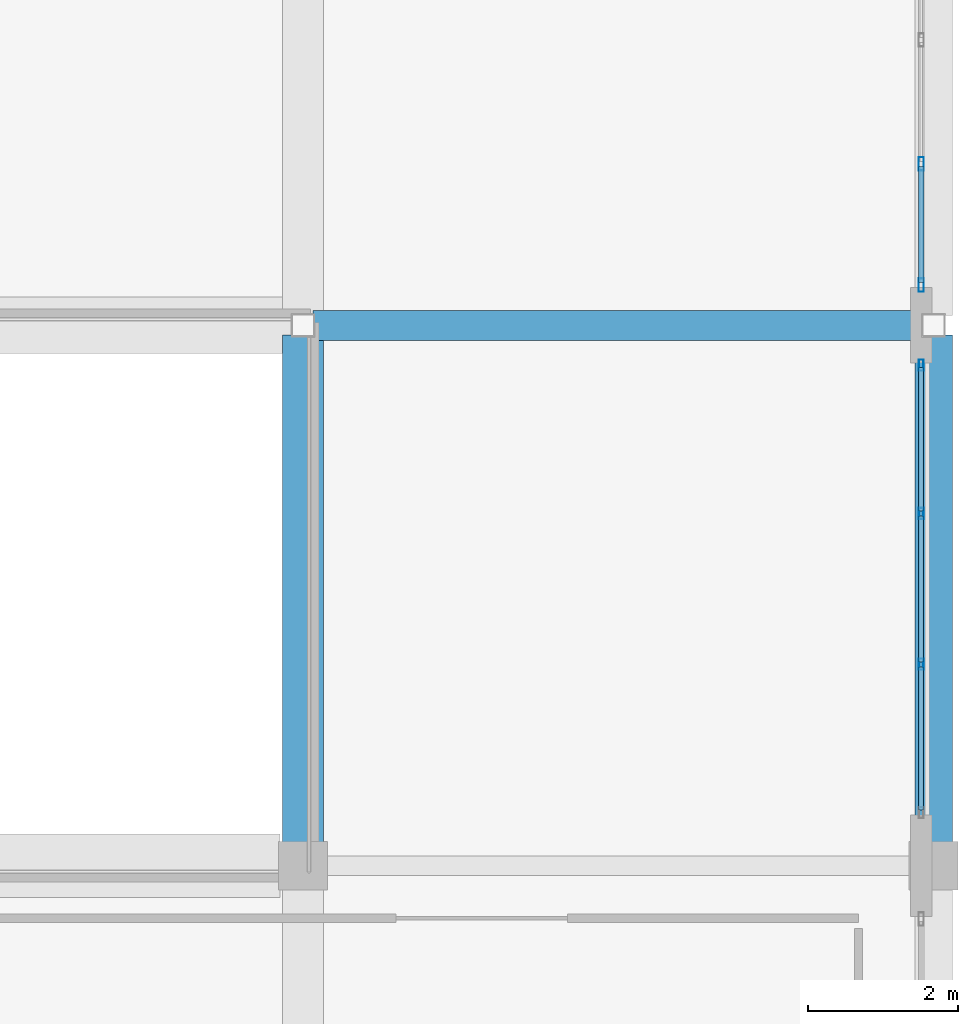
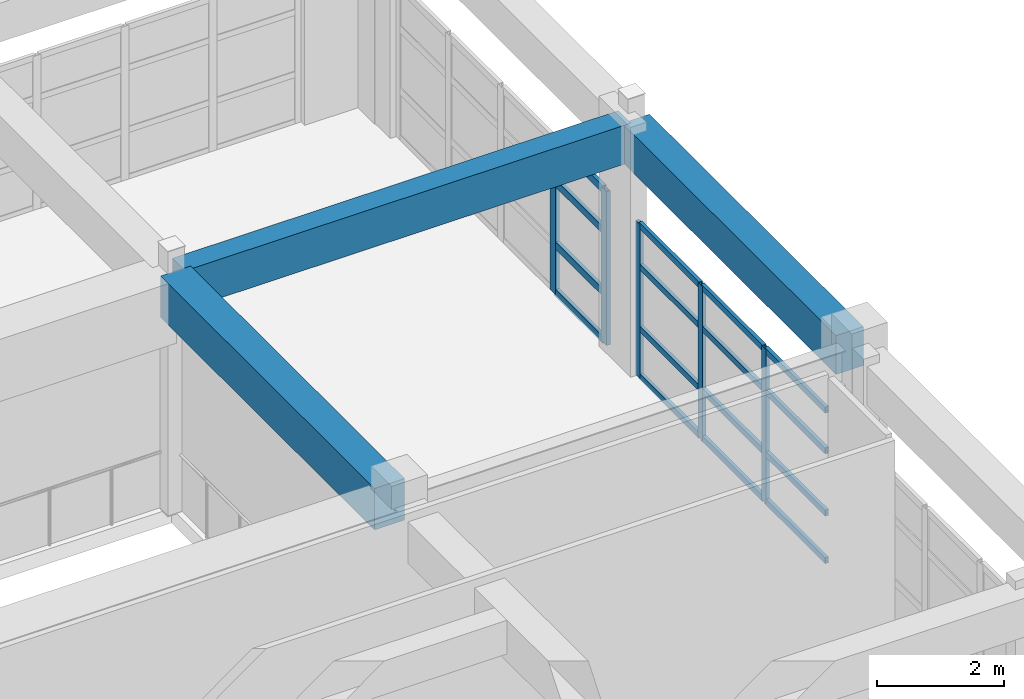
# One storey, part 69 of 103: 21 members, 3 beams, 2 elements without a shape of their own.
"""IFC4 building model written with IfcOpenShell, lengths in metres."""

import ifcopenshell
import ifcopenshell.guid

model = None  # the IFC model being written
_history = None  # IfcOwnerHistory: only IFC2X3 demands one
_inside = {}  # id of a spatial element -> (the spatial element, [elements in it])
_under = {}  # id of a project, library or spatial element -> (it, [spatial elements below it])
_declared = {}  # id of a project -> (the project, [libraries it declares])
_typed = {}  # id of a type object -> (the type object, [elements of that type])
_made_of = {}  # id of a material, layer set ... -> (it, [elements and type objects made of it])


def new_model(schema):
    """Start an empty IFC model of exactly this schema.

    Asked for "IFC4X3", IfcOpenShell would pick the latest addendum, in which some entities
    have other attributes; the version numbers below select the first issue.
    IFC2X3 requires an IfcOwnerHistory on every rooted entity: one is made here for all.
    """
    global model, _history
    if schema == "IFC4X3":
        model = ifcopenshell.file(schema_version=(4, 3, 0, 0))
    else:
        model = ifcopenshell.file(schema=schema)
    _inside.clear()
    _under.clear()
    _declared.clear()
    _typed.clear()
    _made_of.clear()
    _history = None
    if model.schema == "IFC2X3":
        org = make("IfcOrganization", Name="unknown")
        user = make(
            "IfcPersonAndOrganization",
            ThePerson=make("IfcPerson", FamilyName="unknown"),
            TheOrganization=org,
        )
        app = make(
            "IfcApplication",
            ApplicationDeveloper=org,
            Version="unknown",
            ApplicationFullName="unknown",
            ApplicationIdentifier="unknown",
        )
        _history = make(
            "IfcOwnerHistory",
            OwningUser=user,
            OwningApplication=app,
            ChangeAction="ADDED",
            CreationDate=0,
        )
    return model


def make(cls, **values):
    """One entity of the class cls with the attributes given. An attribute that is None is left unset."""
    return model.create_entity(
        cls, **{name: value for name, value in values.items() if value is not None}
    )


def rooted(cls, **values):
    """An entity with a GlobalId (a new one), such as an element, a storey or a relation."""
    return make(cls, GlobalId=ifcopenshell.guid.new(), OwnerHistory=_history, **values)


def si_unit(unit_type, name, prefix=None):
    """IfcSIUnit, for example si_unit("LENGTHUNIT", "METRE", prefix="MILLI")."""
    return make("IfcSIUnit", UnitType=unit_type, Prefix=prefix, Name=name)


def assignment(units):
    """IfcUnitAssignment: the units of a project."""
    return None if units is None else make("IfcUnitAssignment", Units=units)


def point(xyz):
    """IfcCartesianPoint."""
    return None if xyz is None else make("IfcCartesianPoint", Coordinates=xyz)


def direction(xyz):
    """IfcDirection."""
    return None if xyz is None else make("IfcDirection", DirectionRatios=xyz)


def frame(location, z_axis=None, x_axis=None):
    """IfcAxis2Placement3D, a coordinate frame: its origin and axes. An axis left out is left unset."""
    return make(
        "IfcAxis2Placement3D",
        Location=point(location),
        Axis=direction(z_axis),
        RefDirection=direction(x_axis),
    )


def frame_2d(location, x_axis=None):
    """IfcAxis2Placement2D, a coordinate frame in the plane: its origin and x axis."""
    return make(
        "IfcAxis2Placement2D", Location=point(location), RefDirection=direction(x_axis)
    )


def origin():
    """The frame at (0, 0, 0) with its axes left unset."""
    return frame((0.0, 0.0, 0.0))


def origin_2d():
    """The frame at (0, 0) in the plane with its x axis left unset."""
    return frame_2d((0.0, 0.0))


def place(relative_to, where):
    """IfcLocalPlacement: puts the frame where relative to a parent placement (None: the world)."""
    return make(
        "IfcLocalPlacement", PlacementRelTo=relative_to, RelativePlacement=where
    )


def context(
    kind, dimensions, precision=None, world=None, true_north=None, identifier=None
):
    """IfcGeometricRepresentationContext, for example the 3D "Model" context."""
    return make(
        "IfcGeometricRepresentationContext",
        ContextIdentifier=identifier,
        ContextType=kind,
        CoordinateSpaceDimension=dimensions,
        Precision=precision,
        WorldCoordinateSystem=world,
        TrueNorth=true_north,
    )


def subcontext(parent, identifier, kind, view, scale=None):
    """IfcGeometricRepresentationSubContext, for example "Body" below "Model"."""
    return make(
        "IfcGeometricRepresentationSubContext",
        ContextIdentifier=identifier,
        ContextType=kind,
        ParentContext=parent,
        TargetScale=scale,
        TargetView=view,
    )


def project(units=None, contexts=None):
    """IfcProject with its units and contexts."""
    return rooted(
        "IfcProject",
        Name="project",
        RepresentationContexts=contexts,
        UnitsInContext=assignment(units),
    )


def spatial(cls, under=None, at=None, **own):
    """A site, building, storey or space (cls), placed at a placement, below another one or the project."""
    s = rooted(cls, ObjectPlacement=at, **own)
    if under is not None:
        _under.setdefault(under.id(), (under, []))[1].append(s)
    return s


def profile(cls, at=None, kind="AREA", **sizes):
    """A parametric profile (cls). Its sizes go by their IFC names, for example OverallWidth=200.0."""
    return make(cls, ProfileType=kind, Position=at, **sizes)


def rectangle(**sizes):
    """IfcRectangleProfileDef."""
    return profile("IfcRectangleProfileDef", **sizes)


def hollow_rectangle(**sizes):
    """IfcRectangleHollowProfileDef."""
    return profile("IfcRectangleHollowProfileDef", **sizes)


def extrude(swept, where, along, depth):
    """IfcExtrudedAreaSolid: the profile swept, set in the frame where, extruded along a direction by depth."""
    return make(
        "IfcExtrudedAreaSolid",
        SweptArea=swept,
        Position=where,
        ExtrudedDirection=direction(along),
        Depth=depth,
    )


def shape(context_of_items, identifier, shape_type, items):
    """IfcShapeRepresentation: the items that make up one representation, for example the "Body"."""
    return make(
        "IfcShapeRepresentation",
        ContextOfItems=context_of_items,
        RepresentationIdentifier=identifier,
        RepresentationType=shape_type,
        Items=items,
    )


def material(Name=None, Category=None):
    """IfcMaterial."""
    return make("IfcMaterial", Name=Name, Category=Category)


def layer(
    of_material, thickness, ventilated=None, Name=None, Category=None, Priority=None
):
    """IfcMaterialLayer: one layer of a wall or slab, of a material (None: an air gap)."""
    return make(
        "IfcMaterialLayer",
        Material=of_material,
        LayerThickness=thickness,
        IsVentilated=ventilated,
        Name=Name,
        Category=Category,
        Priority=Priority,
    )


def layer_set(layers, Name=None):
    """IfcMaterialLayerSet."""
    return make("IfcMaterialLayerSet", MaterialLayers=layers, LayerSetName=Name)


def material_profile(
    of_material, cross_section, Name=None, Category=None, Priority=None
):
    """IfcMaterialProfile: a cross section and its material."""
    return make(
        "IfcMaterialProfile",
        Name=Name,
        Material=of_material,
        Profile=cross_section,
        Priority=Priority,
        Category=Category,
    )


def profile_set(profiles, Name=None, composite=None):
    """IfcMaterialProfileSet."""
    return make(
        "IfcMaterialProfileSet",
        Name=Name,
        MaterialProfiles=profiles,
        CompositeProfile=composite,
    )


def made_of(thing, what):
    """Note that an element or type object is made of a material, layer set ...; save() writes the relation."""
    if what is not None:
        _made_of.setdefault(what.id(), (what, []))[1].append(thing)
    return thing


def type_object(cls, material=None, **own):
    """A type object (cls), such as IfcWallType, which elements share."""
    return made_of(rooted(cls, **own), material)


def element(
    cls,
    number,
    at=None,
    inside=None,
    cuts=None,
    type_object=None,
    material=None,
    context=None,
    identifier="Body",
    shape_type=None,
    held_by="IfcProductDefinitionShape",
    body=None,
    shapes=None,
    **own,
):
    """One element of the class cls, such as IfcWall. Its Tag is "e" and its number.

    at: its placement. inside: the storey or other place that contains it. cuts: it is an
    opening in that element (IfcRelVoidsElement). A single representation is given by context,
    identifier, shape_type and body (its items); several are given by shapes. held_by: the class
    of the entity that holds the representations. save() writes the other relations.
    """
    e = rooted(cls, Tag="e%d" % number, ObjectPlacement=at, **own)
    if body is not None:
        shapes = [shape(context, identifier, shape_type, body)]
    if shapes is not None:
        e.Representation = make(held_by, Representations=shapes)
    if inside is not None:
        _inside.setdefault(inside.id(), (inside, []))[1].append(e)
    if cuts is not None:
        rooted(
            "IfcRelVoidsElement", RelatingBuildingElement=cuts, RelatedOpeningElement=e
        )
    if type_object is not None:
        _typed.setdefault(type_object.id(), (type_object, []))[1].append(e)
    return made_of(e, material)


def aggregate(whole, parts):
    """IfcRelAggregates: a whole, such as a stair, and the parts it consists of."""
    return rooted("IfcRelAggregates", RelatingObject=whole, RelatedObjects=parts)


def save(model, path):
    """Write the relations noted so far, then the file.

    IfcRelAggregates (storeys below a building ...), IfcRelContainedInSpatialStructure (elements
    in a storey), IfcRelDefinesByType, IfcRelAssociatesMaterial and IfcRelDeclares: one each for
    every whole, place, type object, material and project.
    """
    for whole, parts in _under.values():
        aggregate(whole, parts)
    for where, things in _inside.values():
        rooted(
            "IfcRelContainedInSpatialStructure",
            RelatedElements=things,
            RelatingStructure=where,
        )
    for kind, things in _typed.values():
        rooted("IfcRelDefinesByType", RelatedObjects=things, RelatingType=kind)
    for what, things in _made_of.values():
        rooted("IfcRelAssociatesMaterial", RelatedObjects=things, RelatingMaterial=what)
    for by, libraries in _declared.values():
        rooted("IfcRelDeclares", RelatingContext=by, RelatedDefinitions=libraries)
    model.write(path)


model = new_model("IFC4")

# Units and contexts
model_context = context("Model", 3, precision=1e-05, world=origin(), true_north=direction((0.0, 1.0)))
body_context = subcontext(model_context, "Body", "Model", "MODEL_VIEW")
ifc_project = project(units=[si_unit("LENGTHUNIT", "METRE"), si_unit("AREAUNIT", "SQUARE_METRE"), si_unit("VOLUMEUNIT", "CUBIC_METRE"), si_unit("PLANEANGLEUNIT", "RADIAN"), si_unit("MASSUNIT", "GRAM", prefix="KILO")], contexts=[model_context])

# Site, building, storey
site_placement = place(None, origin())
site = spatial("IfcSite", under=ifc_project, at=site_placement, CompositionType="ELEMENT")
building_placement = place(site_placement, origin())
building = spatial("IfcBuilding", under=site, at=building_placement, Name="Quendrovan Civic Courthouse", CompositionType="ELEMENT")
storey_placement = place(building_placement, frame((0.0, 0.0, 15.300048828125)))
storey = spatial("IfcBuildingStorey", under=building, at=storey_placement, Name="L04", CompositionType="ELEMENT", Elevation=15.300048828125)

# Beams
ifc_material_1 = material(Name="Concrete C40/50", Category="concrete")
ifc_material_profile_1 = material_profile(ifc_material_1, rectangle(XDim=0.5, YDim=0.75, at=origin_2d()), Name="RC-BM-500x750")
ifc_profile_set_1 = profile_set([ifc_material_profile_1], Name="Concrete C40/50")
beam_type_1 = type_object("IfcBeamType", Name="BM-RC750", PredefinedType="SPANDREL", material=ifc_profile_set_1)
beam_1_placement = place(storey_placement, frame((142.800048828125, 95.10498046875, 4.284912109375), z_axis=(0.0, 1.0, 0.0), x_axis=(-1.0, 0.0, 0.0)))
element("IfcBeam", 1, at=beam_1_placement, inside=storey, type_object=beam_type_1, Name="L04 Girder Y0996", PredefinedType="SPANDREL", context=body_context, shape_type="SweptSolid", body=[
    extrude(rectangle(XDim=0.5, YDim=0.75, at=origin_2d()), origin(), (0.0, 0.0, 1.0), 6.76513671875),
])
ifc_material_profile_2 = material_profile(ifc_material_1, rectangle(XDim=0.39990234375, YDim=0.75, at=origin_2d()), Name="RC-BM-400x750")
ifc_profile_set_2 = profile_set([ifc_material_profile_2], Name="Concrete C40/50")
beam_type_2 = type_object("IfcBeamType", Name="BM-RC750B", PredefinedType="BEAM", material=ifc_profile_set_2)
beam_2_placement = place(storey_placement, frame((134.530029296875, 102.0, 4.284912109375), z_axis=(1.0, 0.0, 0.0), x_axis=(0.0, 1.0, 0.0)))
element("IfcBeam", 2, at=beam_2_placement, inside=storey, type_object=beam_type_2, Name="L04 Girder X0924", PredefinedType="BEAM", context=body_context, shape_type="SweptSolid", body=[
    extrude(rectangle(XDim=0.39990234375, YDim=0.75, at=origin_2d()), origin(), (0.0, 0.0, 1.0), 8.139892578125),
])
ifc_material_profile_3 = material_profile(ifc_material_1, rectangle(XDim=0.550048828125, YDim=0.800048828125, at=origin_2d()), Name="RC-BM-550x800")
ifc_profile_set_3 = profile_set([ifc_material_profile_3], Name="Concrete C40/50")
beam_type_3 = type_object("IfcBeamType", Name="BM-RC800", PredefinedType="BEAM", material=ifc_profile_set_3)
beam_3_placement = place(storey_placement, frame((134.39990234375, 95.10498046875, 4.260009765625), z_axis=(0.0, 1.0, 0.0), x_axis=(-1.0, 0.0, 0.0)))
element("IfcBeam", 3, at=beam_3_placement, inside=storey, type_object=beam_type_3, Name="L04 Girder Y0993", PredefinedType="BEAM", context=body_context, shape_type="SweptSolid", body=[
    extrude(rectangle(XDim=0.550048828125, YDim=0.800048828125, at=origin_2d()), origin(), (0.0, 0.0, 1.0), 6.76513671875),
])

# Curtain wall, members
ifc_material_2 = material(Name="Bronze anodised aluminium and low-E glass", Category="aluminium")
ifc_layer_1 = layer(ifc_material_2, 0.179931640625, Name="Bronze anodised aluminium and low-E glass")
ifc_layer_set_1 = layer_set([ifc_layer_1], Name="Bronze anodised aluminium and low-E glass")
curtain_wall_type_1 = type_object("IfcCurtainWallType", Name="CW-U66x30", PredefinedType="USERDEFINED", material=ifc_layer_set_1)
curtain_wall_1_placement = place(storey_placement, origin())
curtain_wall_1 = element("IfcCurtainWall", 4, at=curtain_wall_1_placement, inside=storey, type_object=curtain_wall_type_1, Name="L04 Unitised Hurricane Curtain Wall CW-170", ObjectType="UNITISED CURTAIN WALL", PredefinedType="USERDEFINED")
ifc_material_3 = material(Name="Bronze anodised aluminium", Category="aluminium")
ifc_material_profile_4 = material_profile(ifc_material_3, hollow_rectangle(XDim=0.070068359375, YDim=0.179931640625, WallThickness=0.00390625, at=origin_2d()), Name="CW-MULL-70x180")
ifc_profile_set_4 = profile_set([ifc_material_profile_4], Name="Bronze anodised aluminium")
member_type_1 = type_object("IfcMemberType", Name="CW-MULL-A", PredefinedType="MULLION", material=ifc_profile_set_4)
member_1_placement = place(storey_placement, frame((142.635009765625, 104.14990234375, 0.0), z_axis=(0.0, 0.0, 1.0), x_axis=(1.0, 0.0, 0.0)))
member_1 = element("IfcMember", 5, at=member_1_placement, type_object=member_type_1, Name="CW-170 mullion 4", PredefinedType="MULLION", context=body_context, shape_type="SweptSolid", body=[
    extrude(hollow_rectangle(XDim=0.070068359375, YDim=0.179931640625, WallThickness=0.00390625, at=origin_2d()), origin(), (0.0, 0.0, 1.0), 2.969970703125),
])
member_2_placement = place(storey_placement, frame((142.635009765625, 102.534912109375, 0.0), z_axis=(0.0, 0.0, 1.0), x_axis=(1.0, 0.0, 0.0)))
member_2 = element("IfcMember", 6, at=member_2_placement, type_object=member_type_1, Name="CW-170 mullion 5", PredefinedType="MULLION", context=body_context, shape_type="SweptSolid", body=[
    extrude(hollow_rectangle(XDim=0.070068359375, YDim=0.179931640625, WallThickness=0.00390625, at=origin_2d()), origin(), (0.0, 0.0, 1.0), 2.969970703125),
])

ifc_layer_2 = layer(ifc_material_2, 0.179931640625, Name="Bronze anodised aluminium and low-E glass")
ifc_layer_set_2 = layer_set([ifc_layer_2], Name="Bronze anodised aluminium and low-E glass")
curtain_wall_type_2 = type_object("IfcCurtainWallType", Name="CW-U60x30", PredefinedType="USERDEFINED", material=ifc_layer_set_2)
curtain_wall_2_placement = place(storey_placement, origin())
curtain_wall_2 = element("IfcCurtainWall", 7, at=curtain_wall_2_placement, inside=storey, type_object=curtain_wall_type_2, Name="L04 Unitised Hurricane Curtain Wall CW-171", ObjectType="UNITISED CURTAIN WALL", PredefinedType="USERDEFINED")
ifc_material_profile_5 = material_profile(ifc_material_3, hollow_rectangle(XDim=0.06494140625, YDim=0.14990234375, WallThickness=0.00390625, at=origin_2d()), Name="CW-MULL-65x150")
ifc_profile_set_5 = profile_set([ifc_material_profile_5], Name="Bronze anodised aluminium")
member_type_2 = type_object("IfcMemberType", Name="CW-MULL-B", PredefinedType="MULLION", material=ifc_profile_set_5)
member_3_placement = place(storey_placement, frame((142.635009765625, 101.467529296875, 0.0), z_axis=(0.0, 0.0, 1.0), x_axis=(1.0, 0.0, 0.0)))
member_3 = element("IfcMember", 8, at=member_3_placement, type_object=member_type_2, Name="CW-171 mullion 1", PredefinedType="MULLION", context=body_context, shape_type="SweptSolid", body=[
    extrude(hollow_rectangle(XDim=0.06494140625, YDim=0.14990234375, WallThickness=0.00390625, at=origin_2d()), origin(), (0.0, 0.0, 1.0), 2.969970703125),
])
member_4_placement = place(storey_placement, frame((142.635009765625, 99.49169921875, 0.0), z_axis=(0.0, 0.0, 1.0), x_axis=(1.0, 0.0, 0.0)))
member_4 = element("IfcMember", 9, at=member_4_placement, type_object=member_type_2, Name="CW-171 mullion 2", PredefinedType="MULLION", context=body_context, shape_type="SweptSolid", body=[
    extrude(hollow_rectangle(XDim=0.06494140625, YDim=0.14990234375, WallThickness=0.00390625, at=origin_2d()), origin(), (0.0, 0.0, 1.0), 2.969970703125),
])
member_5_placement = place(storey_placement, frame((142.635009765625, 97.4833984375, 0.0), z_axis=(0.0, 0.0, 1.0), x_axis=(1.0, 0.0, 0.0)))
member_5 = element("IfcMember", 10, at=member_5_placement, type_object=member_type_2, Name="CW-171 mullion 3", PredefinedType="MULLION", context=body_context, shape_type="SweptSolid", body=[
    extrude(hollow_rectangle(XDim=0.06494140625, YDim=0.14990234375, WallThickness=0.00390625, at=origin_2d()), origin(), (0.0, 0.0, 1.0), 2.969970703125),
])

# Member
ifc_material_profile_6 = material_profile(ifc_material_3, hollow_rectangle(XDim=0.070068359375, YDim=0.139892578125, WallThickness=0.00390625, at=origin_2d()), Name="CW-TRAN-70x140")
ifc_profile_set_6 = profile_set([ifc_material_profile_6], Name="Bronze anodised aluminium")
member_type_3 = type_object("IfcMemberType", Name="CW-TRAN-A", PredefinedType="USERDEFINED", material=ifc_profile_set_6)
member_6_placement = place(storey_placement, frame((142.635009765625, 104.114990234375, 0.034912109375), z_axis=(0.0, -1.0, 0.0), x_axis=(1.0, 0.0, 0.0)))
member_6 = element("IfcMember", 11, at=member_6_placement, type_object=member_type_3, Name="CW-170 transom 4.1", ObjectType="TRANSOM", PredefinedType="USERDEFINED", context=body_context, shape_type="SweptSolid", body=[
    extrude(hollow_rectangle(XDim=0.070068359375, YDim=0.139892578125, WallThickness=0.00390625, at=origin_2d()), origin(), (0.0, 0.0, 1.0), 1.544921875),
])

member_7_placement = place(storey_placement, frame((142.635009765625, 104.114990234375, 0.949951171875), z_axis=(0.0, -1.0, 0.0), x_axis=(1.0, 0.0, 0.0)))
member_7 = element("IfcMember", 12, at=member_7_placement, type_object=member_type_3, Name="CW-170 transom 4.2", ObjectType="TRANSOM", PredefinedType="USERDEFINED", context=body_context, shape_type="SweptSolid", body=[
    extrude(hollow_rectangle(XDim=0.070068359375, YDim=0.139892578125, WallThickness=0.00390625, at=origin_2d()), origin(), (0.0, 0.0, 1.0), 1.544921875),
])

member_8_placement = place(storey_placement, frame((142.635009765625, 104.114990234375, 2.14990234375), z_axis=(0.0, -1.0, 0.0), x_axis=(1.0, 0.0, 0.0)))
member_8 = element("IfcMember", 13, at=member_8_placement, type_object=member_type_3, Name="CW-170 transom 4.3", ObjectType="TRANSOM", PredefinedType="USERDEFINED", context=body_context, shape_type="SweptSolid", body=[
    extrude(hollow_rectangle(XDim=0.070068359375, YDim=0.139892578125, WallThickness=0.00390625, at=origin_2d()), origin(), (0.0, 0.0, 1.0), 1.544921875),
])

member_9_placement = place(storey_placement, frame((142.635009765625, 104.114990234375, 2.93505859375), z_axis=(0.0, -1.0, 0.0), x_axis=(1.0, 0.0, 0.0)))
member_9 = element("IfcMember", 14, at=member_9_placement, type_object=member_type_3, Name="CW-170 transom 4.4", ObjectType="TRANSOM", PredefinedType="USERDEFINED", context=body_context, shape_type="SweptSolid", body=[
    extrude(hollow_rectangle(XDim=0.070068359375, YDim=0.139892578125, WallThickness=0.00390625, at=origin_2d()), origin(), (0.0, 0.0, 1.0), 1.544921875),
])

aggregate(curtain_wall_1, [member_1, member_2, member_6, member_7, member_8, member_9])

ifc_material_profile_7 = material_profile(ifc_material_3, hollow_rectangle(XDim=0.06494140625, YDim=0.114990234375, WallThickness=0.00390625, at=origin_2d()), Name="CW-TRAN-65x115")
ifc_profile_set_7 = profile_set([ifc_material_profile_7], Name="Bronze anodised aluminium")
member_type_4 = type_object("IfcMemberType", Name="CW-TRAN-B", PredefinedType="USERDEFINED", material=ifc_profile_set_7)
member_10_placement = place(storey_placement, frame((142.635009765625, 101.43505859375, 0.032470703125), z_axis=(0.0, -1.0, 0.0), x_axis=(1.0, 0.0, 0.0)))
member_10 = element("IfcMember", 15, at=member_10_placement, type_object=member_type_4, Name="CW-171 transom 1.1", ObjectType="TRANSOM", PredefinedType="USERDEFINED", context=body_context, shape_type="SweptSolid", body=[
    extrude(hollow_rectangle(XDim=0.06494140625, YDim=0.114990234375, WallThickness=0.00390625, at=origin_2d()), origin(), (0.0, 0.0, 1.0), 1.910888671875),
])

member_11_placement = place(storey_placement, frame((142.635009765625, 101.43505859375, 0.949951171875), z_axis=(0.0, -1.0, 0.0), x_axis=(1.0, 0.0, 0.0)))
member_11 = element("IfcMember", 16, at=member_11_placement, type_object=member_type_4, Name="CW-171 transom 1.2", ObjectType="TRANSOM", PredefinedType="USERDEFINED", context=body_context, shape_type="SweptSolid", body=[
    extrude(hollow_rectangle(XDim=0.06494140625, YDim=0.114990234375, WallThickness=0.00390625, at=origin_2d()), origin(), (0.0, 0.0, 1.0), 1.910888671875),
])

member_12_placement = place(storey_placement, frame((142.635009765625, 101.43505859375, 2.14990234375), z_axis=(0.0, -1.0, 0.0), x_axis=(1.0, 0.0, 0.0)))
member_12 = element("IfcMember", 17, at=member_12_placement, type_object=member_type_4, Name="CW-171 transom 1.3", ObjectType="TRANSOM", PredefinedType="USERDEFINED", context=body_context, shape_type="SweptSolid", body=[
    extrude(hollow_rectangle(XDim=0.06494140625, YDim=0.114990234375, WallThickness=0.00390625, at=origin_2d()), origin(), (0.0, 0.0, 1.0), 1.910888671875),
])

member_13_placement = place(storey_placement, frame((142.635009765625, 101.43505859375, 2.9375), z_axis=(0.0, -1.0, 0.0), x_axis=(1.0, 0.0, 0.0)))
member_13 = element("IfcMember", 18, at=member_13_placement, type_object=member_type_4, Name="CW-171 transom 1.4", ObjectType="TRANSOM", PredefinedType="USERDEFINED", context=body_context, shape_type="SweptSolid", body=[
    extrude(hollow_rectangle(XDim=0.06494140625, YDim=0.114990234375, WallThickness=0.00390625, at=origin_2d()), origin(), (0.0, 0.0, 1.0), 1.910888671875),
])

member_14_placement = place(storey_placement, frame((142.635009765625, 99.459228515625, 0.032470703125), z_axis=(0.0, -1.0, 0.0), x_axis=(1.0, 0.0, 0.0)))
member_14 = element("IfcMember", 19, at=member_14_placement, type_object=member_type_4, Name="CW-171 transom 2.1", ObjectType="TRANSOM", PredefinedType="USERDEFINED", context=body_context, shape_type="SweptSolid", body=[
    extrude(hollow_rectangle(XDim=0.06494140625, YDim=0.114990234375, WallThickness=0.00390625, at=origin_2d()), origin(), (0.0, 0.0, 1.0), 1.943359375),
])

member_15_placement = place(storey_placement, frame((142.635009765625, 99.459228515625, 0.949951171875), z_axis=(0.0, -1.0, 0.0), x_axis=(1.0, 0.0, 0.0)))
member_15 = element("IfcMember", 20, at=member_15_placement, type_object=member_type_4, Name="CW-171 transom 2.2", ObjectType="TRANSOM", PredefinedType="USERDEFINED", context=body_context, shape_type="SweptSolid", body=[
    extrude(hollow_rectangle(XDim=0.06494140625, YDim=0.114990234375, WallThickness=0.00390625, at=origin_2d()), origin(), (0.0, 0.0, 1.0), 1.943359375),
])

member_16_placement = place(storey_placement, frame((142.635009765625, 99.459228515625, 2.14990234375), z_axis=(0.0, -1.0, 0.0), x_axis=(1.0, 0.0, 0.0)))
member_16 = element("IfcMember", 21, at=member_16_placement, type_object=member_type_4, Name="CW-171 transom 2.3", ObjectType="TRANSOM", PredefinedType="USERDEFINED", context=body_context, shape_type="SweptSolid", body=[
    extrude(hollow_rectangle(XDim=0.06494140625, YDim=0.114990234375, WallThickness=0.00390625, at=origin_2d()), origin(), (0.0, 0.0, 1.0), 1.943359375),
])

member_17_placement = place(storey_placement, frame((142.635009765625, 99.459228515625, 2.9375), z_axis=(0.0, -1.0, 0.0), x_axis=(1.0, 0.0, 0.0)))
member_17 = element("IfcMember", 22, at=member_17_placement, type_object=member_type_4, Name="CW-171 transom 2.4", ObjectType="TRANSOM", PredefinedType="USERDEFINED", context=body_context, shape_type="SweptSolid", body=[
    extrude(hollow_rectangle(XDim=0.06494140625, YDim=0.114990234375, WallThickness=0.00390625, at=origin_2d()), origin(), (0.0, 0.0, 1.0), 1.943359375),
])

member_18_placement = place(storey_placement, frame((142.635009765625, 97.450927734375, 0.032470703125), z_axis=(0.0, -1.0, 0.0), x_axis=(1.0, 0.0, 0.0)))
member_18 = element("IfcMember", 23, at=member_18_placement, type_object=member_type_4, Name="CW-171 transom 3.1", ObjectType="TRANSOM", PredefinedType="USERDEFINED", context=body_context, shape_type="SweptSolid", body=[
    extrude(hollow_rectangle(XDim=0.06494140625, YDim=0.114990234375, WallThickness=0.00390625, at=origin_2d()), origin(), (0.0, 0.0, 1.0), 1.910888671875),
])

member_19_placement = place(storey_placement, frame((142.635009765625, 97.450927734375, 0.949951171875), z_axis=(0.0, -1.0, 0.0), x_axis=(1.0, 0.0, 0.0)))
member_19 = element("IfcMember", 24, at=member_19_placement, type_object=member_type_4, Name="CW-171 transom 3.2", ObjectType="TRANSOM", PredefinedType="USERDEFINED", context=body_context, shape_type="SweptSolid", body=[
    extrude(hollow_rectangle(XDim=0.06494140625, YDim=0.114990234375, WallThickness=0.00390625, at=origin_2d()), origin(), (0.0, 0.0, 1.0), 1.910888671875),
])

member_20_placement = place(storey_placement, frame((142.635009765625, 97.450927734375, 2.14990234375), z_axis=(0.0, -1.0, 0.0), x_axis=(1.0, 0.0, 0.0)))
member_20 = element("IfcMember", 25, at=member_20_placement, type_object=member_type_4, Name="CW-171 transom 3.3", ObjectType="TRANSOM", PredefinedType="USERDEFINED", context=body_context, shape_type="SweptSolid", body=[
    extrude(hollow_rectangle(XDim=0.06494140625, YDim=0.114990234375, WallThickness=0.00390625, at=origin_2d()), origin(), (0.0, 0.0, 1.0), 1.910888671875),
])

member_21_placement = place(storey_placement, frame((142.635009765625, 97.450927734375, 2.9375), z_axis=(0.0, -1.0, 0.0), x_axis=(1.0, 0.0, 0.0)))
member_21 = element("IfcMember", 26, at=member_21_placement, type_object=member_type_4, Name="CW-171 transom 3.4", ObjectType="TRANSOM", PredefinedType="USERDEFINED", context=body_context, shape_type="SweptSolid", body=[
    extrude(hollow_rectangle(XDim=0.06494140625, YDim=0.114990234375, WallThickness=0.00390625, at=origin_2d()), origin(), (0.0, 0.0, 1.0), 1.910888671875),
])

aggregate(curtain_wall_2, [member_3, member_4, member_5, member_10, member_11, member_12, member_13, member_14, member_15, member_16, member_17, member_18, member_19, member_20, member_21])

save(model, "model.ifc")
